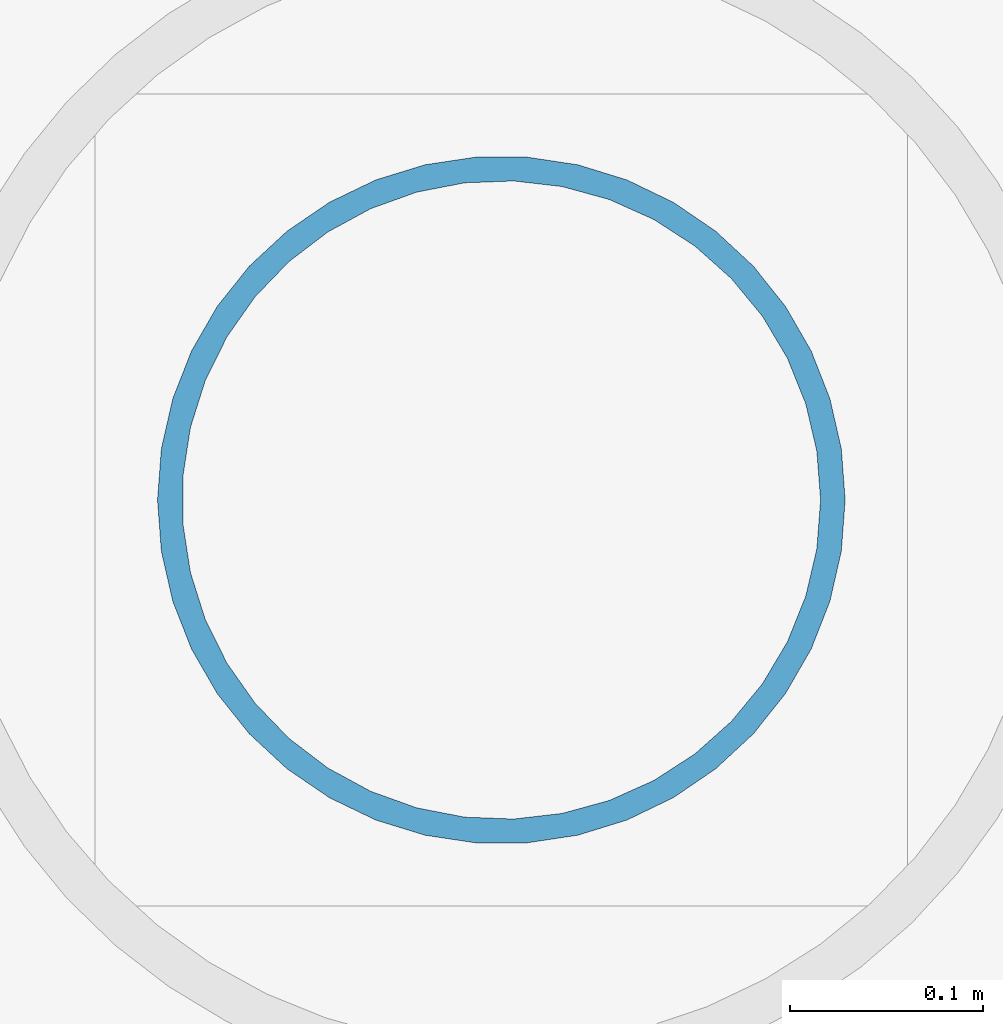
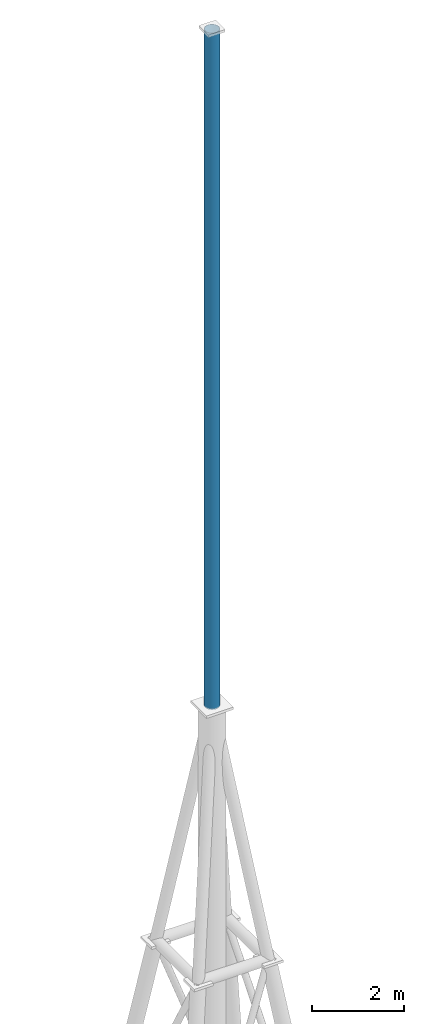
# One storey, part 2 of 7: 1 column.
"""IFC4 building model written with IfcOpenShell, lengths in metres."""

from ifc_helpers import new_model, si_unit, direction, frame, origin, origin_2d, place, context, subcontext, project, spatial, hollow_circle, extrude, material, material_profile, profile_set, type_object, element, save


model = new_model("IFC4")

# Units and contexts
model_context = context("Model", 3, precision=1e-05, world=origin(), true_north=direction((0.0, 1.0)))
body_context = subcontext(model_context, "Body", "Model", "MODEL_VIEW")
ifc_project = project(units=[si_unit("LENGTHUNIT", "METRE"), si_unit("AREAUNIT", "SQUARE_METRE"), si_unit("VOLUMEUNIT", "CUBIC_METRE"), si_unit("PLANEANGLEUNIT", "RADIAN"), si_unit("MASSUNIT", "GRAM", prefix="KILO")], contexts=[model_context])

# Site, building, storey
site_placement = place(None, origin())
site = spatial("IfcSite", under=ifc_project, at=site_placement, CompositionType="ELEMENT")
building_placement = place(site_placement, origin())
building = spatial("IfcBuilding", under=site, at=building_placement, Name="Qianrong Seaharbour Tower", CompositionType="ELEMENT")
storey_placement = place(building_placement, frame((0.0, 0.0, 383.800048828125)))
storey = spatial("IfcBuildingStorey", under=building, at=storey_placement, Name="L92", CompositionType="ELEMENT", Elevation=383.800048828125)

# Column
ifc_material = material(Name="Stainless steel SUS316L", Category="steel")
ifc_material_profile = material_profile(ifc_material, hollow_circle(Radius=0.177734375, WallThickness=0.0126953125, at=origin_2d()), Name="CHS355.6x12.7")
ifc_profile_set = profile_set([ifc_material_profile], Name="Stainless steel SUS316L")
column_type = type_object("IfcColumnType", Name="COL-SPIRE-356", PredefinedType="COLUMN", material=ifc_profile_set)
column_placement = place(storey_placement, frame((52.14990234375, 48.10009765625, 24.199951171875), z_axis=(0.0, 0.0, 1.0), x_axis=(1.0, 0.0, 0.0)))
element("IfcColumn", 1, at=column_placement, inside=storey, type_object=column_type, Name="SPIRE MAST Needle Finial SP-L3", PredefinedType="COLUMN", context=body_context, shape_type="SweptSolid", body=[
    extrude(hollow_circle(Radius=0.177734375, WallThickness=0.0126953125, at=origin_2d()), origin(), (0.0, 0.0, 1.0), 18.0),
])

save(model, "model.ifc")
